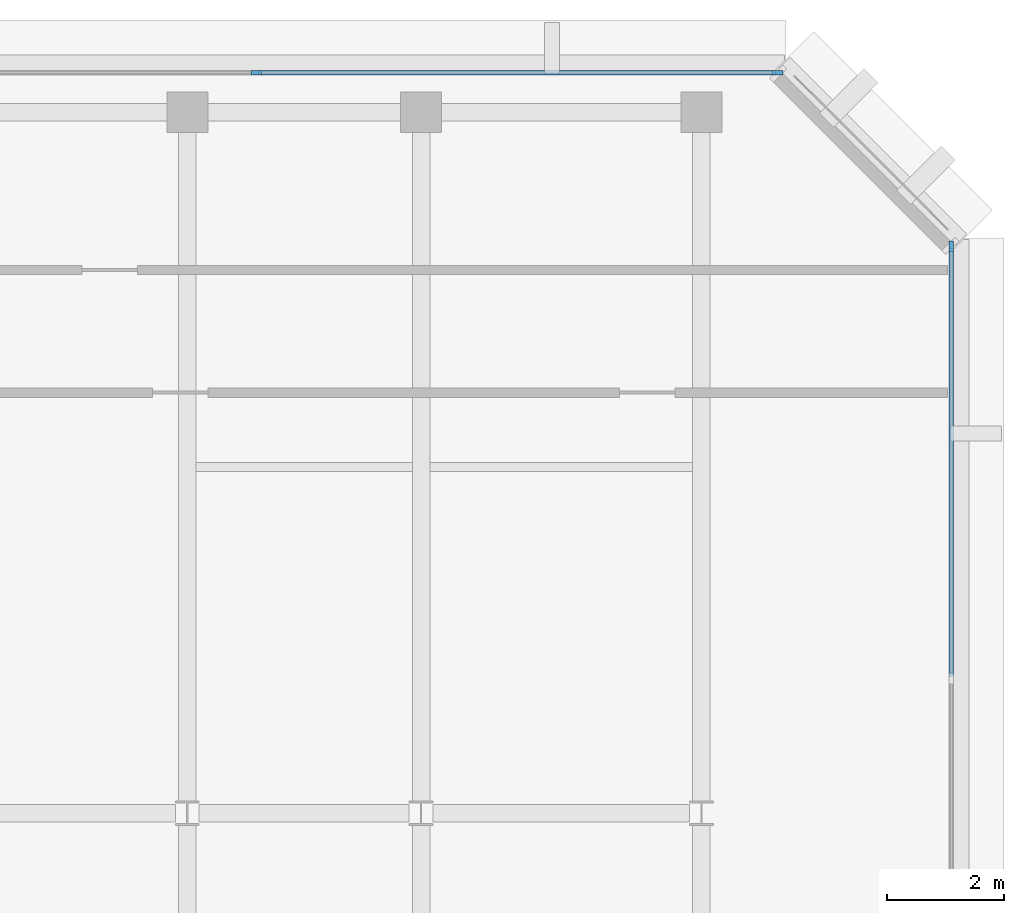
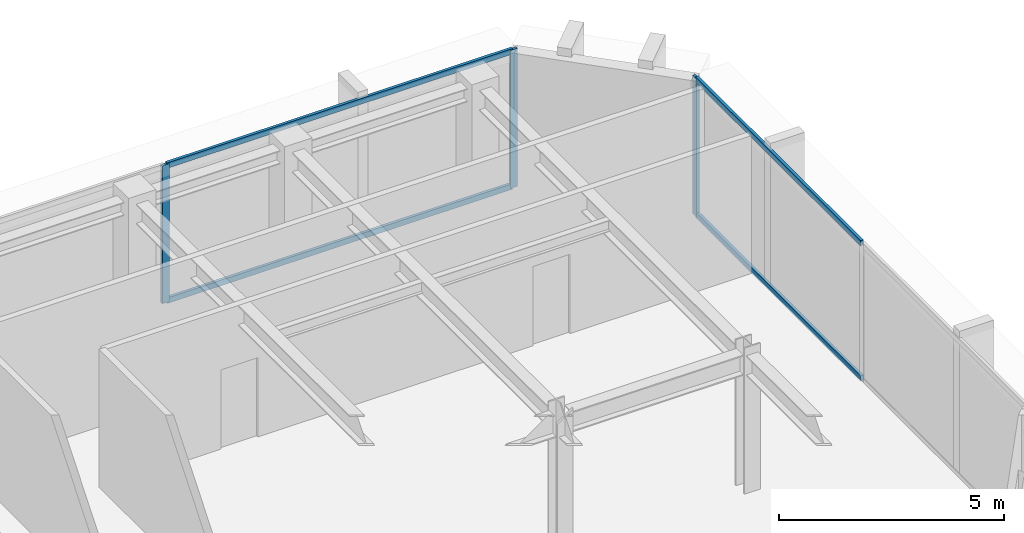
# One storey, part 5 of 12: 7 members, 2 elements without a shape of their own.
"""IFC4 building model written with IfcOpenShell, lengths in metres."""

from ifc_helpers import new_model, si_unit, direction, frame, origin, origin_2d, place, context, subcontext, project, spatial, rectangle, extrude, material, layer, layer_set, material_profile, profile_set, type_object, element, aggregate, save


model = new_model("IFC4")

# Units and contexts
model_context = context("Model", 3, precision=1e-05, world=origin(), true_north=direction((0.0, 1.0)))
body_context = subcontext(model_context, "Body", "Model", "MODEL_VIEW")
ifc_project = project(units=[si_unit("LENGTHUNIT", "METRE"), si_unit("AREAUNIT", "SQUARE_METRE"), si_unit("VOLUMEUNIT", "CUBIC_METRE"), si_unit("PLANEANGLEUNIT", "RADIAN"), si_unit("MASSUNIT", "GRAM", prefix="KILO")], contexts=[model_context])

# Site, building, storey
site_placement = place(None, origin())
site = spatial("IfcSite", under=ifc_project, at=site_placement, CompositionType="ELEMENT")
building_placement = place(site_placement, origin())
building = spatial("IfcBuilding", under=site, at=building_placement, Name="Kefirva Bronze Tower", CompositionType="ELEMENT")
storey_placement = place(building_placement, frame((0.0, 0.0, 339.570068359375)))
storey = spatial("IfcBuildingStorey", under=building, at=storey_placement, Name="L83", CompositionType="ELEMENT", Elevation=339.570068359375)

# Curtain wall, member
ifc_material = material(Name="Bronze anodised aluminium", Category="aluminium")
ifc_layer = layer(ifc_material, 0.179931640625, Name="Bronze anodised aluminium")
ifc_layer_set = layer_set([ifc_layer], Name="Bronze anodised aluminium")
curtain_wall_type = type_object("IfcCurtainWallType", Name="Unitised Bronze Ribbon Curtain Wall Zone 4", PredefinedType="USERDEFINED", material=ifc_layer_set)
curtain_wall_1_placement = place(storey_placement, origin())
curtain_wall_1 = element("IfcCurtainWall", 1, at=curtain_wall_1_placement, inside=storey, type_object=curtain_wall_type, Name="L83 Curtain Wall 2", ObjectType="UNITISED CURTAIN WALL", PredefinedType="USERDEFINED")
ifc_material_profile_1 = material_profile(ifc_material, rectangle(XDim=0.074951171875, YDim=0.179931640625, at=origin_2d()), Name="ALU 75x180")
ifc_profile_set_1 = profile_set([ifc_material_profile_1], Name="Bronze anodised aluminium")
member_type_1 = type_object("IfcMemberType", Name="Bronze Mullion 75x180", PredefinedType="MULLION", material=ifc_profile_set_1)
member_1_placement = place(storey_placement, frame((44.280029296875, 42.907470703125, 0.0), z_axis=(0.0, 0.0, 1.0), x_axis=(-1.0, 0.0, 0.0)))
member_1 = element("IfcMember", 2, at=member_1_placement, type_object=member_type_1, Name="CW-04 mullion 3", PredefinedType="MULLION", context=body_context, shape_type="SweptSolid", body=[
    extrude(rectangle(XDim=0.074951171875, YDim=0.179931640625, at=origin_2d()), origin(), (0.0, 0.0, 1.0), 3.739990234375),
])

# Curtain wall, members
curtain_wall_2_placement = place(storey_placement, origin())
curtain_wall_2 = element("IfcCurtainWall", 3, at=curtain_wall_2_placement, inside=storey, type_object=curtain_wall_type, Name="L83 Curtain Wall 3", ObjectType="UNITISED CURTAIN WALL", PredefinedType="USERDEFINED")
member_2_placement = place(storey_placement, frame((41.3076171875, 45.8798828125, 0.0), z_axis=(0.0, 0.0, 1.0), x_axis=(0.0, -1.0, 0.0)))
member_2 = element("IfcMember", 4, at=member_2_placement, type_object=member_type_1, Name="CW-04 mullion 1", PredefinedType="MULLION", context=body_context, shape_type="SweptSolid", body=[
    extrude(rectangle(XDim=0.074951171875, YDim=0.179931640625, at=origin_2d()), origin(), (0.0, 0.0, 1.0), 3.739990234375),
])
member_3_placement = place(storey_placement, frame((32.375, 45.8798828125, 0.0), z_axis=(0.0, 0.0, 1.0), x_axis=(0.0, -1.0, 0.0)))
member_3 = element("IfcMember", 5, at=member_3_placement, type_object=member_type_1, Name="CW-04 mullion 2", PredefinedType="MULLION", context=body_context, shape_type="SweptSolid", body=[
    extrude(rectangle(XDim=0.074951171875, YDim=0.179931640625, at=origin_2d()), origin(), (0.0, 0.0, 1.0), 3.739990234375),
])

# Member
ifc_material_profile_2 = material_profile(ifc_material, rectangle(XDim=0.074951171875, YDim=0.14990234375, at=origin_2d()), Name="ALU 75x150")
ifc_profile_set_2 = profile_set([ifc_material_profile_2], Name="Bronze anodised aluminium")
member_type_2 = type_object("IfcMemberType", Name="Bronze Transom 75x150", PredefinedType="USERDEFINED", material=ifc_profile_set_2)
member_4_placement = place(storey_placement, frame((44.280029296875, 35.53759765625, 0.037353515625), z_axis=(0.0, 1.0, 0.0), x_axis=(-1.0, 0.0, 0.0)))
member_4 = element("IfcMember", 6, at=member_4_placement, type_object=member_type_2, Name="CW-04 transom 2.1", ObjectType="TRANSOM", PredefinedType="USERDEFINED", context=body_context, shape_type="SweptSolid", body=[
    extrude(rectangle(XDim=0.074951171875, YDim=0.14990234375, at=origin_2d()), origin(), (0.0, 0.0, 1.0), 7.33251953125),
])

member_5_placement = place(storey_placement, frame((44.280029296875, 35.53759765625, 3.702392578125), z_axis=(0.0, 1.0, 0.0), x_axis=(-1.0, 0.0, 0.0)))
member_5 = element("IfcMember", 7, at=member_5_placement, type_object=member_type_2, Name="CW-04 transom 2.2", ObjectType="TRANSOM", PredefinedType="USERDEFINED", context=body_context, shape_type="SweptSolid", body=[
    extrude(rectangle(XDim=0.074951171875, YDim=0.14990234375, at=origin_2d()), origin(), (0.0, 0.0, 1.0), 7.33251953125),
])

aggregate(curtain_wall_1, [member_1, member_4, member_5])

member_6_placement = place(storey_placement, frame((41.27001953125, 45.8798828125, 0.037353515625), z_axis=(-1.0, 0.0, 0.0), x_axis=(0.0, -1.0, 0.0)))
member_6 = element("IfcMember", 8, at=member_6_placement, type_object=member_type_2, Name="CW-04 transom 1.1", ObjectType="TRANSOM", PredefinedType="USERDEFINED", context=body_context, shape_type="SweptSolid", body=[
    extrude(rectangle(XDim=0.074951171875, YDim=0.14990234375, at=origin_2d()), origin(), (0.0, 0.0, 1.0), 8.857421875),
])

member_7_placement = place(storey_placement, frame((41.27001953125, 45.8798828125, 3.702392578125), z_axis=(-1.0, 0.0, 0.0), x_axis=(0.0, -1.0, 0.0)))
member_7 = element("IfcMember", 9, at=member_7_placement, type_object=member_type_2, Name="CW-04 transom 1.2", ObjectType="TRANSOM", PredefinedType="USERDEFINED", context=body_context, shape_type="SweptSolid", body=[
    extrude(rectangle(XDim=0.074951171875, YDim=0.14990234375, at=origin_2d()), origin(), (0.0, 0.0, 1.0), 8.857421875),
])

aggregate(curtain_wall_2, [member_2, member_3, member_6, member_7])

save(model, "model.ifc")
